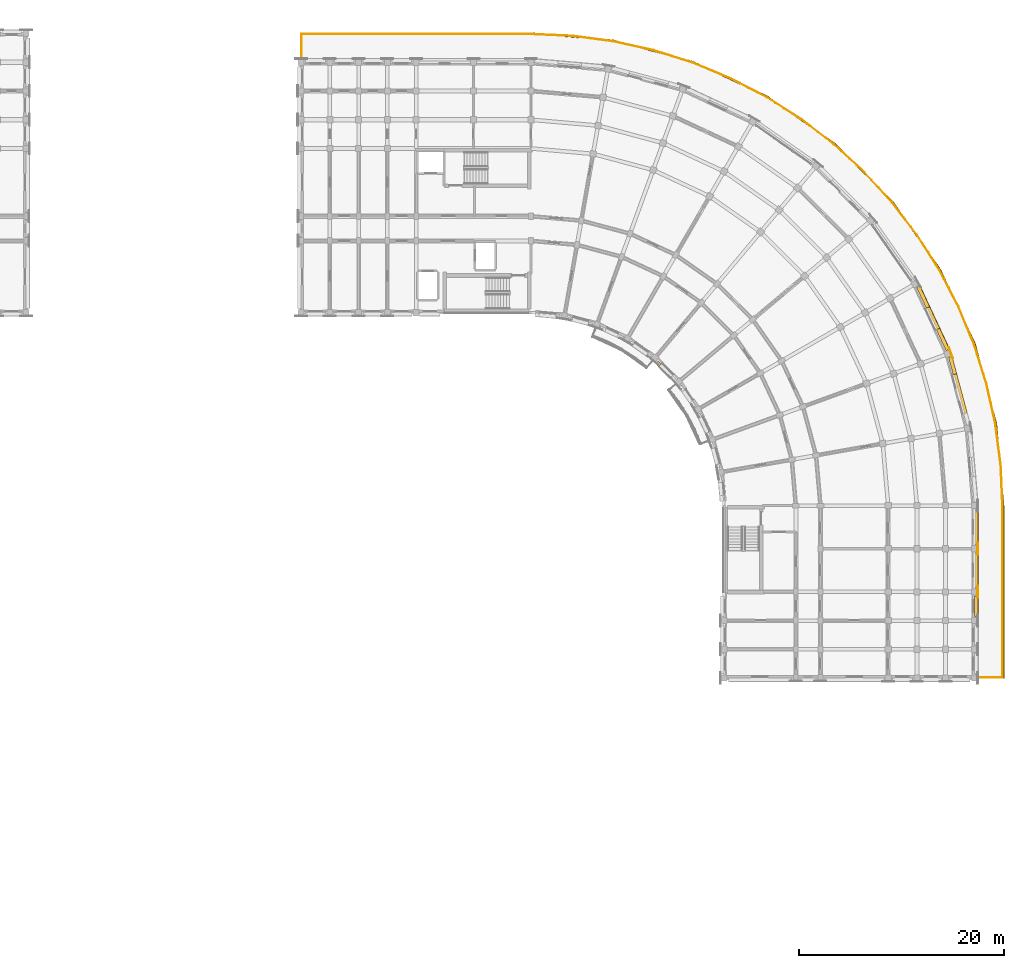
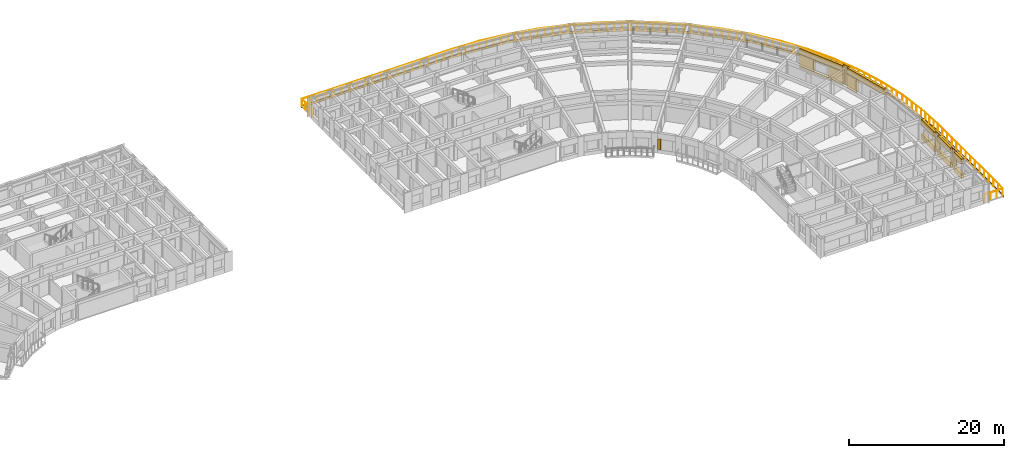
# One storey, part 52 of 53: 17 coverings, 1 railing.
"""IFC4 building model written with IfcOpenShell, lengths in metres."""

import ifcopenshell
import ifcopenshell.guid

model = None  # the IFC model being written
_history = None  # IfcOwnerHistory: only IFC2X3 demands one
_inside = {}  # id of a spatial element -> (the spatial element, [elements in it])
_under = {}  # id of a project, library or spatial element -> (it, [spatial elements below it])
_declared = {}  # id of a project -> (the project, [libraries it declares])
_typed = {}  # id of a type object -> (the type object, [elements of that type])
_made_of = {}  # id of a material, layer set ... -> (it, [elements and type objects made of it])


def new_model(schema):
    """Start an empty IFC model of exactly this schema.

    Asked for "IFC4X3", IfcOpenShell would pick the latest addendum, in which some entities
    have other attributes; the version numbers below select the first issue.
    IFC2X3 requires an IfcOwnerHistory on every rooted entity: one is made here for all.
    """
    global model, _history
    if schema == "IFC4X3":
        model = ifcopenshell.file(schema_version=(4, 3, 0, 0))
    else:
        model = ifcopenshell.file(schema=schema)
    _inside.clear()
    _under.clear()
    _declared.clear()
    _typed.clear()
    _made_of.clear()
    _history = None
    if model.schema == "IFC2X3":
        org = make("IfcOrganization", Name="unknown")
        user = make(
            "IfcPersonAndOrganization",
            ThePerson=make("IfcPerson", FamilyName="unknown"),
            TheOrganization=org,
        )
        app = make(
            "IfcApplication",
            ApplicationDeveloper=org,
            Version="unknown",
            ApplicationFullName="unknown",
            ApplicationIdentifier="unknown",
        )
        _history = make(
            "IfcOwnerHistory",
            OwningUser=user,
            OwningApplication=app,
            ChangeAction="ADDED",
            CreationDate=0,
        )
    return model


def make(cls, **values):
    """One entity of the class cls with the attributes given. An attribute that is None is left unset."""
    return model.create_entity(
        cls, **{name: value for name, value in values.items() if value is not None}
    )


def rooted(cls, **values):
    """An entity with a GlobalId (a new one), such as an element, a storey or a relation."""
    return make(cls, GlobalId=ifcopenshell.guid.new(), OwnerHistory=_history, **values)


def si_unit(unit_type, name, prefix=None):
    """IfcSIUnit, for example si_unit("LENGTHUNIT", "METRE", prefix="MILLI")."""
    return make("IfcSIUnit", UnitType=unit_type, Prefix=prefix, Name=name)


def assignment(units):
    """IfcUnitAssignment: the units of a project."""
    return None if units is None else make("IfcUnitAssignment", Units=units)


def point(xyz):
    """IfcCartesianPoint."""
    return None if xyz is None else make("IfcCartesianPoint", Coordinates=xyz)


def direction(xyz):
    """IfcDirection."""
    return None if xyz is None else make("IfcDirection", DirectionRatios=xyz)


def frame(location, z_axis=None, x_axis=None):
    """IfcAxis2Placement3D, a coordinate frame: its origin and axes. An axis left out is left unset."""
    return make(
        "IfcAxis2Placement3D",
        Location=point(location),
        Axis=direction(z_axis),
        RefDirection=direction(x_axis),
    )


def frame_2d(location, x_axis=None):
    """IfcAxis2Placement2D, a coordinate frame in the plane: its origin and x axis."""
    return make(
        "IfcAxis2Placement2D", Location=point(location), RefDirection=direction(x_axis)
    )


def origin():
    """The frame at (0, 0, 0) with its axes left unset."""
    return frame((0.0, 0.0, 0.0))


def origin_2d():
    """The frame at (0, 0) in the plane with its x axis left unset."""
    return frame_2d((0.0, 0.0))


def place(relative_to, where):
    """IfcLocalPlacement: puts the frame where relative to a parent placement (None: the world)."""
    return make(
        "IfcLocalPlacement", PlacementRelTo=relative_to, RelativePlacement=where
    )


def context(
    kind, dimensions, precision=None, world=None, true_north=None, identifier=None
):
    """IfcGeometricRepresentationContext, for example the 3D "Model" context."""
    return make(
        "IfcGeometricRepresentationContext",
        ContextIdentifier=identifier,
        ContextType=kind,
        CoordinateSpaceDimension=dimensions,
        Precision=precision,
        WorldCoordinateSystem=world,
        TrueNorth=true_north,
    )


def subcontext(parent, identifier, kind, view, scale=None):
    """IfcGeometricRepresentationSubContext, for example "Body" below "Model"."""
    return make(
        "IfcGeometricRepresentationSubContext",
        ContextIdentifier=identifier,
        ContextType=kind,
        ParentContext=parent,
        TargetScale=scale,
        TargetView=view,
    )


def project(units=None, contexts=None):
    """IfcProject with its units and contexts."""
    return rooted(
        "IfcProject",
        Name="project",
        RepresentationContexts=contexts,
        UnitsInContext=assignment(units),
    )


def spatial(cls, under=None, at=None, **own):
    """A site, building, storey or space (cls), placed at a placement, below another one or the project."""
    s = rooted(cls, ObjectPlacement=at, **own)
    if under is not None:
        _under.setdefault(under.id(), (under, []))[1].append(s)
    return s


def polyline(points):
    """IfcPolyline through the points."""
    return make("IfcPolyline", Points=[point(p) for p in points])


def profile(cls, at=None, kind="AREA", **sizes):
    """A parametric profile (cls). Its sizes go by their IFC names, for example OverallWidth=200.0."""
    return make(cls, ProfileType=kind, Position=at, **sizes)


def circle(**sizes):
    """IfcCircleProfileDef."""
    return profile("IfcCircleProfileDef", **sizes)


def outline(outer, holes=None, kind="AREA"):
    """IfcArbitraryClosedProfileDef: a profile drawn as a closed curve; with holes, ...WithVoids."""
    if holes is None:
        return make("IfcArbitraryClosedProfileDef", ProfileType=kind, OuterCurve=outer)
    return make(
        "IfcArbitraryProfileDefWithVoids",
        ProfileType=kind,
        OuterCurve=outer,
        InnerCurves=holes,
    )


def extrude(swept, where, along, depth):
    """IfcExtrudedAreaSolid: the profile swept, set in the frame where, extruded along a direction by depth."""
    return make(
        "IfcExtrudedAreaSolid",
        SweptArea=swept,
        Position=where,
        ExtrudedDirection=direction(along),
        Depth=depth,
    )


def shape(context_of_items, identifier, shape_type, items):
    """IfcShapeRepresentation: the items that make up one representation, for example the "Body"."""
    return make(
        "IfcShapeRepresentation",
        ContextOfItems=context_of_items,
        RepresentationIdentifier=identifier,
        RepresentationType=shape_type,
        Items=items,
    )


def material(Name=None, Category=None):
    """IfcMaterial."""
    return make("IfcMaterial", Name=Name, Category=Category)


def layer(
    of_material, thickness, ventilated=None, Name=None, Category=None, Priority=None
):
    """IfcMaterialLayer: one layer of a wall or slab, of a material (None: an air gap)."""
    return make(
        "IfcMaterialLayer",
        Material=of_material,
        LayerThickness=thickness,
        IsVentilated=ventilated,
        Name=Name,
        Category=Category,
        Priority=Priority,
    )


def layer_set(layers, Name=None):
    """IfcMaterialLayerSet."""
    return make("IfcMaterialLayerSet", MaterialLayers=layers, LayerSetName=Name)


def made_of(thing, what):
    """Note that an element or type object is made of a material, layer set ...; save() writes the relation."""
    if what is not None:
        _made_of.setdefault(what.id(), (what, []))[1].append(thing)
    return thing


def type_object(cls, material=None, **own):
    """A type object (cls), such as IfcWallType, which elements share."""
    return made_of(rooted(cls, **own), material)


def element(
    cls,
    number,
    at=None,
    inside=None,
    cuts=None,
    type_object=None,
    material=None,
    context=None,
    identifier="Body",
    shape_type=None,
    held_by="IfcProductDefinitionShape",
    body=None,
    shapes=None,
    **own,
):
    """One element of the class cls, such as IfcWall. Its Tag is "e" and its number.

    at: its placement. inside: the storey or other place that contains it. cuts: it is an
    opening in that element (IfcRelVoidsElement). A single representation is given by context,
    identifier, shape_type and body (its items); several are given by shapes. held_by: the class
    of the entity that holds the representations. save() writes the other relations.
    """
    e = rooted(cls, Tag="e%d" % number, ObjectPlacement=at, **own)
    if body is not None:
        shapes = [shape(context, identifier, shape_type, body)]
    if shapes is not None:
        e.Representation = make(held_by, Representations=shapes)
    if inside is not None:
        _inside.setdefault(inside.id(), (inside, []))[1].append(e)
    if cuts is not None:
        rooted(
            "IfcRelVoidsElement", RelatingBuildingElement=cuts, RelatedOpeningElement=e
        )
    if type_object is not None:
        _typed.setdefault(type_object.id(), (type_object, []))[1].append(e)
    return made_of(e, material)


def aggregate(whole, parts):
    """IfcRelAggregates: a whole, such as a stair, and the parts it consists of."""
    return rooted("IfcRelAggregates", RelatingObject=whole, RelatedObjects=parts)


def save(model, path):
    """Write the relations noted so far, then the file.

    IfcRelAggregates (storeys below a building ...), IfcRelContainedInSpatialStructure (elements
    in a storey), IfcRelDefinesByType, IfcRelAssociatesMaterial and IfcRelDeclares: one each for
    every whole, place, type object, material and project.
    """
    for whole, parts in _under.values():
        aggregate(whole, parts)
    for where, things in _inside.values():
        rooted(
            "IfcRelContainedInSpatialStructure",
            RelatedElements=things,
            RelatingStructure=where,
        )
    for kind, things in _typed.values():
        rooted("IfcRelDefinesByType", RelatedObjects=things, RelatingType=kind)
    for what, things in _made_of.values():
        rooted("IfcRelAssociatesMaterial", RelatedObjects=things, RelatingMaterial=what)
    for by, libraries in _declared.values():
        rooted("IfcRelDeclares", RelatingContext=by, RelatedDefinitions=libraries)
    model.write(path)


model = new_model("IFC4")

# Units and contexts
model_context = context("Model", 3, precision=1e-05, world=origin(), true_north=direction((0.0, 1.0)))
body_context = subcontext(model_context, "Body", "Model", "MODEL_VIEW")
ifc_project = project(units=[si_unit("LENGTHUNIT", "METRE"), si_unit("AREAUNIT", "SQUARE_METRE"), si_unit("VOLUMEUNIT", "CUBIC_METRE"), si_unit("PLANEANGLEUNIT", "RADIAN"), si_unit("MASSUNIT", "GRAM", prefix="KILO")], contexts=[model_context])

# Site, building, storey
site_placement = place(None, origin())
site = spatial("IfcSite", under=ifc_project, at=site_placement, CompositionType="ELEMENT")
building_placement = place(site_placement, origin())
building = spatial("IfcBuilding", under=site, at=building_placement, Name="Kiranvali Square Residences", CompositionType="ELEMENT")
storey_placement = place(building_placement, frame((0.0, 0.0, 30.75)))
storey = spatial("IfcBuildingStorey", under=building, at=storey_placement, Name="L09", CompositionType="ELEMENT", Elevation=30.75)

# Coverings
ifc_material_1 = material(Name="Carved Porbandar limestone classical entablature and cornice", Category="masonry")
ifc_layer_1 = layer(ifc_material_1, 0.449951171875)
ifc_layer_set_1 = layer_set([ifc_layer_1], Name="Carved Porbandar limestone classical entablature and cornice")
covering_type_1 = type_object("IfcCoveringType", Name="COV-CLAD-CORN", PredefinedType="CLADDING", material=ifc_layer_set_1)
covering_1_placement = place(storey_placement, frame((0.0, 0.0, -0.280029296875)))
element("IfcCovering", 1, at=covering_1_placement, inside=storey, type_object=covering_type_1, Name="Block B L09 stepped curved terrace stone cornice band", PredefinedType="CLADDING", context=body_context, shape_type="SweptSolid", body=[
    extrude(outline(polyline([(97.39990234375, 133.802001953125), (119.800048828125, 133.802001953125), (127.7880859375, 133.10302734375), (135.53369140625, 131.02783203125), (142.801025390625, 127.638916015625), (149.36962890625, 123.03955078125), (155.03955078125, 117.36962890625), (159.638916015625, 110.801025390625), (163.02783203125, 103.53369140625), (165.10302734375, 95.7880859375), (165.802001953125, 87.800048828125), (165.802001953125, 71.0), (165.885009765625, 71.0), (165.885009765625, 87.800048828125), (165.184814453125, 95.802490234375), (163.105712890625, 103.56201171875), (159.710693359375, 110.842529296875), (155.103271484375, 117.4228515625), (149.4228515625, 123.103271484375), (142.842529296875, 127.710693359375), (135.56201171875, 131.105712890625), (127.802490234375, 133.184814453125), (119.800048828125, 133.885009765625), (97.39990234375, 133.885009765625), (97.39990234375, 133.802001953125)])), origin(), (0.0, 0.0, 1.0), 0.360107421875),
])
ifc_material_2 = material(Name="Honed Porbandar limestone ashlar facade cladding", Category="masonry")
ifc_layer_2 = layer(ifc_material_2, 0.3798828125)
ifc_layer_set_2 = layer_set([ifc_layer_2], Name="Honed Porbandar limestone ashlar facade cladding")
covering_type_2 = type_object("IfcCoveringType", Name="COV-CLAD-JAMB", PredefinedType="CLADDING", material=ifc_layer_set_2)
covering_2_placement = place(storey_placement, frame((0.0, 0.0, 0.31201171875)))
element("IfcCovering", 2, at=covering_2_placement, inside=storey, type_object=covering_type_2, Name="L09 deep limestone window jamb reveal B-L09-CRV-06.L", PredefinedType="CLADDING", context=body_context, shape_type="SweptSolid", body=[
    extrude(outline(polyline([(157.360595703125, 109.0830078125), (158.31787109375, 107.030029296875), (158.643798828125, 107.18212890625), (157.6865234375, 109.23486328125), (157.360595703125, 109.0830078125)])), origin(), (0.0, 0.0, 1.0), 1.89990234375),
])
covering_3_placement = place(storey_placement, frame((0.0, 0.0, 0.31201171875)))
element("IfcCovering", 3, at=covering_3_placement, inside=storey, type_object=covering_type_2, Name="L09 deep limestone window jamb reveal B-L09-CRV-06.R", PredefinedType="CLADDING", context=body_context, shape_type="SweptSolid", body=[
    extrude(outline(polyline([(159.2900390625, 104.945556640625), (160.247314453125, 102.892578125), (160.572998046875, 103.044677734375), (159.61572265625, 105.097412109375), (159.2900390625, 104.945556640625)])), origin(), (0.0, 0.0, 1.0), 1.89990234375),
])
covering_4_placement = place(storey_placement, origin())
element("IfcCovering", 4, at=covering_4_placement, inside=storey, type_object=covering_type_2, Name="L09 deep limestone window jamb reveal B-L09-CRV-07.L", PredefinedType="CLADDING", context=body_context, shape_type="SweptSolid", body=[
    extrude(outline(polyline([(160.48583984375, 102.2373046875), (160.936279296875, 100.55615234375), (161.283447265625, 100.649169921875), (160.8330078125, 102.330322265625), (160.48583984375, 102.2373046875)])), origin(), (0.0, 0.0, 1.0), 2.179931640625),
])
covering_5_placement = place(storey_placement, frame((0.0, 0.0, 0.572021484375)))
element("IfcCovering", 5, at=covering_5_placement, inside=storey, type_object=covering_type_2, Name="L09 deep limestone window jamb reveal B-L09-GDN-04.L", PredefinedType="CLADDING", context=body_context, shape_type="SweptSolid", body=[
    extrude(outline(polyline([(131.955078125, 101.650146484375), (132.23681640625, 101.368408203125), (132.47705078125, 101.6083984375), (132.195068359375, 101.89013671875), (131.955078125, 101.650146484375)])), origin(), (0.0, 0.0, 1.0), 1.64990234375),
])
ifc_layer_3 = layer(ifc_material_2, 0.06494140625)
ifc_layer_set_3 = layer_set([ifc_layer_3], Name="Honed Porbandar limestone ashlar facade cladding")
covering_type_3 = type_object("IfcCoveringType", Name="COV-CLAD-PIER", PredefinedType="CLADDING", material=ifc_layer_set_3)
covering_6_placement = place(storey_placement, frame((0.0, 0.0, 0.0048828125)))
element("IfcCovering", 6, at=covering_6_placement, inside=storey, type_object=covering_type_3, Name="L09 Classical limestone corner pilaster CLAD-PR-B-L09-A07", PredefinedType="CLADDING", context=body_context, shape_type="SweptSolid", body=[
    extrude(outline(polyline([(160.93896484375, 102.156005859375), (160.542236328125, 103.24609375), (160.478759765625, 103.22314453125), (160.87548828125, 102.133056640625), (160.93896484375, 102.156005859375)])), origin(), (0.0, 0.0, 1.0), 3.14013671875),
])
ifc_layer_4 = layer(ifc_material_2, 0.054931640625)
ifc_layer_set_4 = layer_set([ifc_layer_4], Name="Honed Porbandar limestone ashlar facade cladding")
covering_type_4 = type_object("IfcCoveringType", Name="COV-CLAD-PIER-UP", PredefinedType="CLADDING", material=ifc_layer_set_4)
covering_7_placement = place(storey_placement, frame((0.0, 0.0, 0.0048828125)))
element("IfcCovering", 7, at=covering_7_placement, inside=storey, type_object=covering_type_4, Name="L09 Classical limestone pilaster casing CLAD-PR-B-L09-V42", PredefinedType="CLADDING", context=body_context, shape_type="SweptSolid", body=[
    extrude(outline(polyline([(163.300537109375, 84.179931640625), (163.300537109375, 83.02001953125), (163.367919921875, 83.02001953125), (163.367919921875, 84.179931640625), (163.300537109375, 84.179931640625)])), origin(), (0.0, 0.0, 1.0), 3.14013671875),
])
covering_8_placement = place(storey_placement, frame((0.0, 0.0, 0.0048828125)))
element("IfcCovering", 8, at=covering_8_placement, inside=storey, type_object=covering_type_4, Name="L09 Classical limestone pilaster casing CLAD-PR-B-L09-V84", PredefinedType="CLADDING", context=body_context, shape_type="SweptSolid", body=[
    extrude(outline(polyline([(163.300537109375, 79.97998046875), (163.300537109375, 78.820068359375), (163.367919921875, 78.820068359375), (163.367919921875, 79.97998046875), (163.300537109375, 79.97998046875)])), origin(), (0.0, 0.0, 1.0), 3.14013671875),
])
ifc_layer_5 = layer(ifc_material_2, 0.360107421875)
ifc_layer_set_5 = layer_set([ifc_layer_5], Name="Honed Porbandar limestone ashlar facade cladding")
covering_type_5 = type_object("IfcCoveringType", Name="COV-CLAD-WALL", PredefinedType="CLADDING", material=ifc_layer_set_5)
covering_9_placement = place(storey_placement, frame((0.0, 0.0, 2.2119140625)))
element("IfcCovering", 9, at=covering_9_placement, inside=storey, type_object=covering_type_5, Name="L09 light limestone spandrel lintel B-L09-CRV-06", PredefinedType="CLADDING", context=body_context, shape_type="SweptSolid", body=[
    extrude(outline(polyline([(157.360595703125, 109.0830078125), (160.247314453125, 102.892578125), (160.572998046875, 103.044677734375), (157.6865234375, 109.23486328125), (157.360595703125, 109.0830078125)])), origin(), (0.0, 0.0, 1.0), 0.93310546875),
])
covering_10_placement = place(storey_placement, frame((0.0, 0.0, 0.0048828125)))
element("IfcCovering", 10, at=covering_10_placement, inside=storey, type_object=covering_type_5, Name="L09 limestone window sill apron B-L09-CRV-06", PredefinedType="CLADDING", context=body_context, shape_type="SweptSolid", body=[
    extrude(outline(polyline([(157.360595703125, 109.0830078125), (160.247314453125, 102.892578125), (160.600341796875, 103.057373046875), (157.713623046875, 109.24755859375), (157.360595703125, 109.0830078125)])), origin(), (0.0, 0.0, 1.0), 0.30712890625),
])
covering_11_placement = place(storey_placement, frame((0.0, 0.0, 2.179931640625)))
element("IfcCovering", 11, at=covering_11_placement, inside=storey, type_object=covering_type_5, Name="L09 light limestone spandrel lintel B-L09-CRV-07", PredefinedType="CLADDING", context=body_context, shape_type="SweptSolid", body=[
    extrude(outline(polyline([(160.48583984375, 102.2373046875), (162.253662109375, 95.639892578125), (162.600830078125, 95.73291015625), (160.8330078125, 102.330322265625), (160.48583984375, 102.2373046875)])), origin(), (0.0, 0.0, 1.0), 0.965087890625),
])
covering_12_placement = place(storey_placement, frame((0.0, 0.0, 2.280029296875)))
element("IfcCovering", 12, at=covering_12_placement, inside=storey, type_object=covering_type_5, Name="L09 light limestone spandrel lintel B-L09-A2O-0", PredefinedType="CLADDING", context=body_context, shape_type="SweptSolid", body=[
    extrude(outline(polyline([(163.00048828125, 87.3798828125), (163.00048828125, 84.02001953125), (163.35009765625, 84.02001953125), (163.35009765625, 87.3798828125), (163.00048828125, 87.3798828125)])), origin(), (0.0, 0.0, 1.0), 0.864990234375),
])
covering_13_placement = place(storey_placement, frame((0.0, 0.0, 0.0048828125)))
element("IfcCovering", 13, at=covering_13_placement, inside=storey, type_object=covering_type_5, Name="L09 limestone window sill apron B-L09-A2O-0", PredefinedType="CLADDING", context=body_context, shape_type="SweptSolid", body=[
    extrude(outline(polyline([(163.00048828125, 87.3798828125), (163.00048828125, 84.02001953125), (163.3798828125, 84.02001953125), (163.3798828125, 87.3798828125), (163.00048828125, 87.3798828125)])), origin(), (0.0, 0.0, 1.0), 0.875),
])
covering_14_placement = place(storey_placement, frame((0.0, 0.0, 2.280029296875)))
element("IfcCovering", 14, at=covering_14_placement, inside=storey, type_object=covering_type_5, Name="L09 light limestone spandrel lintel B-L09-A2O-1", PredefinedType="CLADDING", context=body_context, shape_type="SweptSolid", body=[
    extrude(outline(polyline([(163.00048828125, 83.179931640625), (163.00048828125, 79.820068359375), (163.35009765625, 79.820068359375), (163.35009765625, 83.179931640625), (163.00048828125, 83.179931640625)])), origin(), (0.0, 0.0, 1.0), 0.864990234375),
])
covering_15_placement = place(storey_placement, frame((0.0, 0.0, 0.0048828125)))
element("IfcCovering", 15, at=covering_15_placement, inside=storey, type_object=covering_type_5, Name="L09 limestone window sill apron B-L09-A2O-1", PredefinedType="CLADDING", context=body_context, shape_type="SweptSolid", body=[
    extrude(outline(polyline([(163.00048828125, 83.179931640625), (163.00048828125, 79.820068359375), (163.3798828125, 79.820068359375), (163.3798828125, 83.179931640625), (163.00048828125, 83.179931640625)])), origin(), (0.0, 0.0, 1.0), 0.875),
])
covering_16_placement = place(storey_placement, frame((0.0, 0.0, 2.280029296875)))
element("IfcCovering", 16, at=covering_16_placement, inside=storey, type_object=covering_type_5, Name="L09 light limestone spandrel lintel B-L09-A2O-2", PredefinedType="CLADDING", context=body_context, shape_type="SweptSolid", body=[
    extrude(outline(polyline([(163.00048828125, 78.97998046875), (163.00048828125, 77.02001953125), (163.35009765625, 77.02001953125), (163.35009765625, 78.97998046875), (163.00048828125, 78.97998046875)])), origin(), (0.0, 0.0, 1.0), 0.864990234375),
])
covering_17_placement = place(storey_placement, frame((0.0, 0.0, 0.0048828125)))
element("IfcCovering", 17, at=covering_17_placement, inside=storey, type_object=covering_type_5, Name="L09 limestone window sill apron B-L09-A2O-2", PredefinedType="CLADDING", context=body_context, shape_type="SweptSolid", body=[
    extrude(outline(polyline([(163.00048828125, 78.97998046875), (163.00048828125, 77.02001953125), (163.3798828125, 77.02001953125), (163.3798828125, 78.97998046875), (163.00048828125, 78.97998046875)])), origin(), (0.0, 0.0, 1.0), 0.775146484375),
])

# Railing
ifc_material_3 = material(Name="Powder-coated architectural bronze balustrade", Category="steel")
railing_type = type_object("IfcRailingType", Name="RL-TER-GOLD-1200", PredefinedType="BALUSTRADE", material=ifc_material_3)
railing_placement = place(storey_placement, frame((97.449951171875, 131.0400390625, 0.0)))
element("IfcRailing", 18, at=railing_placement, inside=storey, type_object=railing_type, Name="Block B L09 stepped curved corner terrace gold balustrade", PredefinedType="BALUSTRADE", context=body_context, shape_type="SweptSolid", body=[
    extrude(circle(Radius=0.02392578125, at=origin_2d()), frame((0.0, 0.0, 1.17578125), z_axis=(0.0, 1.0, 0.0), x_axis=(-1.0, 0.0, 0.0)), (0.0, 0.0, 1.0), 2.699951171875),
    extrude(circle(Radius=0.02392578125, at=origin_2d()), frame((0.0, 2.699951171875, 1.17578125), z_axis=(1.0, 0.0, 0.0), x_axis=(0.0, 1.0, 0.0)), (0.0, 0.0, 1.0), 22.35009765625),
    extrude(circle(Radius=0.02392578125, at=origin_2d()), frame((22.35009765625, 2.699951171875, 1.17578125), z_axis=(0.999048326342, -0.043616987906, 0.0), x_axis=(0.043616987906, 0.999048326342, 0.0)), (0.0, 0.0, 1.0), 4.0078125),
    extrude(circle(Radius=0.02392578125, at=origin_2d()), frame((26.35400390625, 2.525146484375, 1.17578125), z_axis=(0.991442057801, -0.130547485706, 0.0), x_axis=(0.130547485706, 0.991442057801, 0.0)), (0.0, 0.0, 1.0), 4.007568359375),
    extrude(circle(Radius=0.02392578125, at=origin_2d()), frame((30.327392578125, 2.001953125, 1.17578125), z_axis=(0.976297298919, -0.216433786926, 0.0), x_axis=(0.216433786926, 0.976297298919, 0.0)), (0.0, 0.0, 1.0), 4.0078125),
    extrude(circle(Radius=0.02392578125, at=origin_2d()), frame((34.240234375, 1.134521484375, 1.17578125), z_axis=(0.953722503351, -0.300688188333, 0.0), x_axis=(0.300688188333, 0.953722503351, 0.0)), (0.0, 0.0, 1.0), 4.0078125),
    extrude(circle(Radius=0.02392578125, at=origin_2d()), frame((38.0625, -0.070556640625, 1.17578125), z_axis=(0.92387873318, -0.382685362115, 0.0), x_axis=(0.382685362115, 0.92387873318, 0.0)), (0.0, 0.0, 1.0), 4.0078125),
    extrude(circle(Radius=0.02392578125, at=origin_2d()), frame((41.76513671875, -1.604248046875, 1.17578125), z_axis=(0.887010254912, -0.461749724073, 0.0), x_axis=(0.461749724073, 0.887010254912, 0.0)), (0.0, 0.0, 1.0), 4.0078125),
    extrude(circle(Radius=0.02392578125, at=origin_2d()), frame((45.320068359375, -3.454833984375, 1.17578125), z_axis=(0.843398009102, -0.537289305907, 0.0), x_axis=(0.537289305907, 0.843398009102, 0.0)), (0.0, 0.0, 1.0), 4.0078125),
    extrude(circle(Radius=0.02392578125, at=origin_2d()), frame((48.7001953125, -5.608154296875, 1.17578125), z_axis=(0.793350379413, -0.608765287681, 0.0), x_axis=(0.608765287681, 0.793350379413, 0.0)), (0.0, 0.0, 1.0), 4.007568359375),
    extrude(circle(Radius=0.02392578125, at=origin_2d()), frame((51.879638671875, -8.0478515625, 1.17578125), z_axis=(0.737257802459, -0.675611525, 0.0), x_axis=(0.675611525, 0.737257802459, 0.0)), (0.0, 0.0, 1.0), 4.0078125),
    extrude(circle(Radius=0.02392578125, at=origin_2d()), frame((54.83447265625, -10.755615234375, 1.17578125), z_axis=(0.675611525, -0.737257802459, 0.0), x_axis=(0.737257802459, 0.675611525, 0.0)), (0.0, 0.0, 1.0), 4.0078125),
    extrude(circle(Radius=0.02392578125, at=origin_2d()), frame((57.542236328125, -13.71044921875, 1.17578125), z_axis=(0.608765287681, -0.793350379413, 0.0), x_axis=(0.793350379413, 0.608765287681, 0.0)), (0.0, 0.0, 1.0), 4.007568359375),
    extrude(circle(Radius=0.02392578125, at=origin_2d()), frame((59.98193359375, -16.889892578125, 1.17578125), z_axis=(0.537289305907, -0.843398009102, 0.0), x_axis=(0.843398009102, 0.537289305907, 0.0)), (0.0, 0.0, 1.0), 4.0078125),
    extrude(circle(Radius=0.02392578125, at=origin_2d()), frame((62.13525390625, -20.27001953125, 1.17578125), z_axis=(0.461749724073, -0.887010254912, 0.0), x_axis=(0.887010254912, 0.461749724073, 0.0)), (0.0, 0.0, 1.0), 4.0078125),
    extrude(circle(Radius=0.02392578125, at=origin_2d()), frame((63.98583984375, -23.824951171875, 1.17578125), z_axis=(0.382685362115, -0.92387873318, 0.0), x_axis=(0.92387873318, 0.382685362115, 0.0)), (0.0, 0.0, 1.0), 4.0078125),
    extrude(circle(Radius=0.02392578125, at=origin_2d()), frame((65.51953125, -27.527587890625, 1.17578125), z_axis=(0.300688188333, -0.953722503351, 0.0), x_axis=(0.953722503351, 0.300688188333, 0.0)), (0.0, 0.0, 1.0), 4.0078125),
    extrude(circle(Radius=0.02392578125, at=origin_2d()), frame((66.724609375, -31.349853515625, 1.17578125), z_axis=(0.216433786926, -0.976297298919, 0.0), x_axis=(0.976297298919, 0.216433786926, 0.0)), (0.0, 0.0, 1.0), 4.0078125),
    extrude(circle(Radius=0.02392578125, at=origin_2d()), frame((67.592041015625, -35.2626953125, 1.17578125), z_axis=(0.130547485706, -0.991442057801, 0.0), x_axis=(0.991442057801, 0.130547485706, 0.0)), (0.0, 0.0, 1.0), 4.007568359375),
    extrude(circle(Radius=0.02392578125, at=origin_2d()), frame((68.115234375, -39.236083984375, 1.17578125), z_axis=(0.043616987906, -0.999048326342, 0.0), x_axis=(0.999048326342, 0.043616987906, 0.0)), (0.0, 0.0, 1.0), 4.0078125),
    extrude(circle(Radius=0.02392578125, at=origin_2d()), frame((68.2900390625, -43.239990234375, 1.17578125), z_axis=(0.0, -1.0, 0.0), x_axis=(1.0, 0.0, 0.0)), (0.0, 0.0, 1.0), 16.75),
    extrude(circle(Radius=0.02392578125, at=origin_2d()), frame((68.2900390625, -59.989990234375, 1.17578125), z_axis=(-1.0, 0.0, 0.0), x_axis=(0.0, -1.0, 0.0)), (0.0, 0.0, 1.0), 2.699951171875),
    extrude(circle(Radius=0.02099609375, at=origin_2d()), origin(), (0.0, 0.0, 1.0), 1.15185546875),
    extrude(circle(Radius=0.02099609375, at=origin_2d()), frame((0.0, 0.89990234375, 0.0)), (0.0, 0.0, 1.0), 1.15185546875),
    extrude(circle(Radius=0.02099609375, at=origin_2d()), frame((0.0, 1.800048828125, 0.0)), (0.0, 0.0, 1.0), 1.15185546875),
    extrude(circle(Radius=0.02099609375, at=origin_2d()), frame((0.0, 2.699951171875, 0.0)), (0.0, 0.0, 1.0), 1.15185546875),
    extrude(circle(Radius=0.02099609375, at=origin_2d()), frame((1.17626953125, 2.699951171875, 0.0)), (0.0, 0.0, 1.0), 1.15185546875),
    extrude(circle(Radius=0.02099609375, at=origin_2d()), frame((2.3525390625, 2.699951171875, 0.0)), (0.0, 0.0, 1.0), 1.15185546875),
    extrude(circle(Radius=0.02099609375, at=origin_2d()), frame((3.529052734375, 2.699951171875, 0.0)), (0.0, 0.0, 1.0), 1.15185546875),
    extrude(circle(Radius=0.02099609375, at=origin_2d()), frame((4.705322265625, 2.699951171875, 0.0)), (0.0, 0.0, 1.0), 1.15185546875),
    extrude(circle(Radius=0.02099609375, at=origin_2d()), frame((5.881591796875, 2.699951171875, 0.0)), (0.0, 0.0, 1.0), 1.15185546875),
    extrude(circle(Radius=0.02099609375, at=origin_2d()), frame((7.057861328125, 2.699951171875, 0.0)), (0.0, 0.0, 1.0), 1.15185546875),
    extrude(circle(Radius=0.02099609375, at=origin_2d()), frame((8.234130859375, 2.699951171875, 0.0)), (0.0, 0.0, 1.0), 1.15185546875),
    extrude(circle(Radius=0.02099609375, at=origin_2d()), frame((9.41064453125, 2.699951171875, 0.0)), (0.0, 0.0, 1.0), 1.15185546875),
    extrude(circle(Radius=0.02099609375, at=origin_2d()), frame((10.5869140625, 2.699951171875, 0.0)), (0.0, 0.0, 1.0), 1.15185546875),
    extrude(circle(Radius=0.02099609375, at=origin_2d()), frame((11.76318359375, 2.699951171875, 0.0)), (0.0, 0.0, 1.0), 1.15185546875),
    extrude(circle(Radius=0.02099609375, at=origin_2d()), frame((12.939453125, 2.699951171875, 0.0)), (0.0, 0.0, 1.0), 1.15185546875),
    extrude(circle(Radius=0.02099609375, at=origin_2d()), frame((14.115966796875, 2.699951171875, 0.0)), (0.0, 0.0, 1.0), 1.15185546875),
    extrude(circle(Radius=0.02099609375, at=origin_2d()), frame((15.292236328125, 2.699951171875, 0.0)), (0.0, 0.0, 1.0), 1.15185546875),
    extrude(circle(Radius=0.02099609375, at=origin_2d()), frame((16.468505859375, 2.699951171875, 0.0)), (0.0, 0.0, 1.0), 1.15185546875),
    extrude(circle(Radius=0.02099609375, at=origin_2d()), frame((17.644775390625, 2.699951171875, 0.0)), (0.0, 0.0, 1.0), 1.15185546875),
    extrude(circle(Radius=0.02099609375, at=origin_2d()), frame((18.821044921875, 2.699951171875, 0.0)), (0.0, 0.0, 1.0), 1.15185546875),
    extrude(circle(Radius=0.02099609375, at=origin_2d()), frame((19.99755859375, 2.699951171875, 0.0)), (0.0, 0.0, 1.0), 1.15185546875),
    extrude(circle(Radius=0.02099609375, at=origin_2d()), frame((21.173828125, 2.699951171875, 0.0)), (0.0, 0.0, 1.0), 1.15185546875),
    extrude(circle(Radius=0.02099609375, at=origin_2d()), frame((22.35009765625, 2.699951171875, 0.0)), (0.0, 0.0, 1.0), 1.15185546875),
    extrude(circle(Radius=0.02099609375, at=origin_2d()), frame((23.35107421875, 2.65625, 0.0)), (0.0, 0.0, 1.0), 1.15185546875),
    extrude(circle(Radius=0.02099609375, at=origin_2d()), frame((24.35205078125, 2.612548828125, 0.0)), (0.0, 0.0, 1.0), 1.15185546875),
    extrude(circle(Radius=0.02099609375, at=origin_2d()), frame((25.35302734375, 2.56884765625, 0.0)), (0.0, 0.0, 1.0), 1.15185546875),
    extrude(circle(Radius=0.02099609375, at=origin_2d()), frame((26.35400390625, 2.525146484375, 0.0)), (0.0, 0.0, 1.0), 1.15185546875),
    extrude(circle(Radius=0.02099609375, at=origin_2d()), frame((27.347412109375, 2.394287109375, 0.0)), (0.0, 0.0, 1.0), 1.15185546875),
    extrude(circle(Radius=0.02099609375, at=origin_2d()), frame((28.3408203125, 2.263671875, 0.0)), (0.0, 0.0, 1.0), 1.15185546875),
    extrude(circle(Radius=0.02099609375, at=origin_2d()), frame((29.333984375, 2.1328125, 0.0)), (0.0, 0.0, 1.0), 1.15185546875),
    extrude(circle(Radius=0.02099609375, at=origin_2d()), frame((30.327392578125, 2.001953125, 0.0)), (0.0, 0.0, 1.0), 1.15185546875),
    extrude(circle(Radius=0.02099609375, at=origin_2d()), frame((31.3056640625, 1.78515625, 0.0)), (0.0, 0.0, 1.0), 1.15185546875),
    extrude(circle(Radius=0.02099609375, at=origin_2d()), frame((32.28369140625, 1.568359375, 0.0)), (0.0, 0.0, 1.0), 1.15185546875),
    extrude(circle(Radius=0.02099609375, at=origin_2d()), frame((33.261962890625, 1.351318359375, 0.0)), (0.0, 0.0, 1.0), 1.15185546875),
    extrude(circle(Radius=0.02099609375, at=origin_2d()), frame((34.240234375, 1.134521484375, 0.0)), (0.0, 0.0, 1.0), 1.15185546875),
    extrude(circle(Radius=0.02099609375, at=origin_2d()), frame((35.19580078125, 0.833251953125, 0.0)), (0.0, 0.0, 1.0), 1.15185546875),
    extrude(circle(Radius=0.02099609375, at=origin_2d()), frame((36.1513671875, 0.531982421875, 0.0)), (0.0, 0.0, 1.0), 1.15185546875),
    extrude(circle(Radius=0.02099609375, at=origin_2d()), frame((37.10693359375, 0.230712890625, 0.0)), (0.0, 0.0, 1.0), 1.15185546875),
    extrude(circle(Radius=0.02099609375, at=origin_2d()), frame((38.0625, -0.070556640625, 0.0)), (0.0, 0.0, 1.0), 1.15185546875),
    extrude(circle(Radius=0.02099609375, at=origin_2d()), frame((38.98828125, -0.4541015625, 0.0)), (0.0, 0.0, 1.0), 1.15185546875),
    extrude(circle(Radius=0.02099609375, at=origin_2d()), frame((39.913818359375, -0.83740234375, 0.0)), (0.0, 0.0, 1.0), 1.15185546875),
    extrude(circle(Radius=0.02099609375, at=origin_2d()), frame((40.83935546875, -1.220703125, 0.0)), (0.0, 0.0, 1.0), 1.15185546875),
    extrude(circle(Radius=0.02099609375, at=origin_2d()), frame((41.76513671875, -1.604248046875, 0.0)), (0.0, 0.0, 1.0), 1.15185546875),
    extrude(circle(Radius=0.02099609375, at=origin_2d()), frame((42.65380859375, -2.06689453125, 0.0)), (0.0, 0.0, 1.0), 1.15185546875),
    extrude(circle(Radius=0.02099609375, at=origin_2d()), frame((43.54248046875, -2.529541015625, 0.0)), (0.0, 0.0, 1.0), 1.15185546875),
    extrude(circle(Radius=0.02099609375, at=origin_2d()), frame((44.431396484375, -2.9921875, 0.0)), (0.0, 0.0, 1.0), 1.15185546875),
    extrude(circle(Radius=0.02099609375, at=origin_2d()), frame((45.320068359375, -3.454833984375, 0.0)), (0.0, 0.0, 1.0), 1.15185546875),
    extrude(circle(Radius=0.02099609375, at=origin_2d()), frame((46.1650390625, -3.9931640625, 0.0)), (0.0, 0.0, 1.0), 1.15185546875),
    extrude(circle(Radius=0.02099609375, at=origin_2d()), frame((47.01025390625, -4.531494140625, 0.0)), (0.0, 0.0, 1.0), 1.15185546875),
    extrude(circle(Radius=0.02099609375, at=origin_2d()), frame((47.855224609375, -5.06982421875, 0.0)), (0.0, 0.0, 1.0), 1.15185546875),
    extrude(circle(Radius=0.02099609375, at=origin_2d()), frame((48.7001953125, -5.608154296875, 0.0)), (0.0, 0.0, 1.0), 1.15185546875),
    extrude(circle(Radius=0.02099609375, at=origin_2d()), frame((49.4951171875, -6.218017578125, 0.0)), (0.0, 0.0, 1.0), 1.15185546875),
    extrude(circle(Radius=0.02099609375, at=origin_2d()), frame((50.2900390625, -6.828125, 0.0)), (0.0, 0.0, 1.0), 1.15185546875),
    extrude(circle(Radius=0.02099609375, at=origin_2d()), frame((51.084716796875, -7.43798828125, 0.0)), (0.0, 0.0, 1.0), 1.15185546875),
    extrude(circle(Radius=0.02099609375, at=origin_2d()), frame((51.879638671875, -8.0478515625, 0.0)), (0.0, 0.0, 1.0), 1.15185546875),
    extrude(circle(Radius=0.02099609375, at=origin_2d()), frame((52.618408203125, -8.724853515625, 0.0)), (0.0, 0.0, 1.0), 1.15185546875),
    extrude(circle(Radius=0.02099609375, at=origin_2d()), frame((53.35693359375, -9.40185546875, 0.0)), (0.0, 0.0, 1.0), 1.15185546875),
    extrude(circle(Radius=0.02099609375, at=origin_2d()), frame((54.095703125, -10.07861328125, 0.0)), (0.0, 0.0, 1.0), 1.15185546875),
    extrude(circle(Radius=0.02099609375, at=origin_2d()), frame((54.83447265625, -10.755615234375, 0.0)), (0.0, 0.0, 1.0), 1.15185546875),
    extrude(circle(Radius=0.02099609375, at=origin_2d()), frame((55.511474609375, -11.494384765625, 0.0)), (0.0, 0.0, 1.0), 1.15185546875),
    extrude(circle(Radius=0.02099609375, at=origin_2d()), frame((56.1884765625, -12.23291015625, 0.0)), (0.0, 0.0, 1.0), 1.15185546875),
    extrude(circle(Radius=0.02099609375, at=origin_2d()), frame((56.865234375, -12.9716796875, 0.0)), (0.0, 0.0, 1.0), 1.15185546875),
    extrude(circle(Radius=0.02099609375, at=origin_2d()), frame((57.542236328125, -13.71044921875, 0.0)), (0.0, 0.0, 1.0), 1.15185546875),
    extrude(circle(Radius=0.02099609375, at=origin_2d()), frame((58.152099609375, -14.50537109375, 0.0)), (0.0, 0.0, 1.0), 1.15185546875),
    extrude(circle(Radius=0.02099609375, at=origin_2d()), frame((58.76220703125, -15.30029296875, 0.0)), (0.0, 0.0, 1.0), 1.15185546875),
    extrude(circle(Radius=0.02099609375, at=origin_2d()), frame((59.3720703125, -16.094970703125, 0.0)), (0.0, 0.0, 1.0), 1.15185546875),
    extrude(circle(Radius=0.02099609375, at=origin_2d()), frame((59.98193359375, -16.889892578125, 0.0)), (0.0, 0.0, 1.0), 1.15185546875),
    extrude(circle(Radius=0.02099609375, at=origin_2d()), frame((60.520263671875, -17.73486328125, 0.0)), (0.0, 0.0, 1.0), 1.15185546875),
    extrude(circle(Radius=0.02099609375, at=origin_2d()), frame((61.05859375, -18.580078125, 0.0)), (0.0, 0.0, 1.0), 1.15185546875),
    extrude(circle(Radius=0.02099609375, at=origin_2d()), frame((61.596923828125, -19.425048828125, 0.0)), (0.0, 0.0, 1.0), 1.15185546875),
    extrude(circle(Radius=0.02099609375, at=origin_2d()), frame((62.13525390625, -20.27001953125, 0.0)), (0.0, 0.0, 1.0), 1.15185546875),
    extrude(circle(Radius=0.02099609375, at=origin_2d()), frame((62.597900390625, -21.15869140625, 0.0)), (0.0, 0.0, 1.0), 1.15185546875),
    extrude(circle(Radius=0.02099609375, at=origin_2d()), frame((63.060546875, -22.04736328125, 0.0)), (0.0, 0.0, 1.0), 1.15185546875),
    extrude(circle(Radius=0.02099609375, at=origin_2d()), frame((63.523193359375, -22.936279296875, 0.0)), (0.0, 0.0, 1.0), 1.15185546875),
    extrude(circle(Radius=0.02099609375, at=origin_2d()), frame((63.98583984375, -23.824951171875, 0.0)), (0.0, 0.0, 1.0), 1.15185546875),
    extrude(circle(Radius=0.02099609375, at=origin_2d()), frame((64.369140625, -24.75048828125, 0.0)), (0.0, 0.0, 1.0), 1.15185546875),
    extrude(circle(Radius=0.02099609375, at=origin_2d()), frame((64.752685546875, -25.67626953125, 0.0)), (0.0, 0.0, 1.0), 1.15185546875),
    extrude(circle(Radius=0.02099609375, at=origin_2d()), frame((65.13623046875, -26.60205078125, 0.0)), (0.0, 0.0, 1.0), 1.15185546875),
    extrude(circle(Radius=0.02099609375, at=origin_2d()), frame((65.51953125, -27.527587890625, 0.0)), (0.0, 0.0, 1.0), 1.15185546875),
    extrude(circle(Radius=0.02099609375, at=origin_2d()), frame((65.82080078125, -28.483154296875, 0.0)), (0.0, 0.0, 1.0), 1.15185546875),
    extrude(circle(Radius=0.02099609375, at=origin_2d()), frame((66.1220703125, -29.438720703125, 0.0)), (0.0, 0.0, 1.0), 1.15185546875),
    extrude(circle(Radius=0.02099609375, at=origin_2d()), frame((66.42333984375, -30.394287109375, 0.0)), (0.0, 0.0, 1.0), 1.15185546875),
    extrude(circle(Radius=0.02099609375, at=origin_2d()), frame((66.724609375, -31.349853515625, 0.0)), (0.0, 0.0, 1.0), 1.15185546875),
    extrude(circle(Radius=0.02099609375, at=origin_2d()), frame((66.94140625, -32.328125, 0.0)), (0.0, 0.0, 1.0), 1.15185546875),
    extrude(circle(Radius=0.02099609375, at=origin_2d()), frame((67.158203125, -33.30615234375, 0.0)), (0.0, 0.0, 1.0), 1.15185546875),
    extrude(circle(Radius=0.02099609375, at=origin_2d()), frame((67.375244140625, -34.284423828125, 0.0)), (0.0, 0.0, 1.0), 1.15185546875),
    extrude(circle(Radius=0.02099609375, at=origin_2d()), frame((67.592041015625, -35.2626953125, 0.0)), (0.0, 0.0, 1.0), 1.15185546875),
    extrude(circle(Radius=0.02099609375, at=origin_2d()), frame((67.722900390625, -36.256103515625, 0.0)), (0.0, 0.0, 1.0), 1.15185546875),
    extrude(circle(Radius=0.02099609375, at=origin_2d()), frame((67.853515625, -37.24951171875, 0.0)), (0.0, 0.0, 1.0), 1.15185546875),
    extrude(circle(Radius=0.02099609375, at=origin_2d()), frame((67.984375, -38.24267578125, 0.0)), (0.0, 0.0, 1.0), 1.15185546875),
    extrude(circle(Radius=0.02099609375, at=origin_2d()), frame((68.115234375, -39.236083984375, 0.0)), (0.0, 0.0, 1.0), 1.15185546875),
    extrude(circle(Radius=0.02099609375, at=origin_2d()), frame((68.158935546875, -40.237060546875, 0.0)), (0.0, 0.0, 1.0), 1.15185546875),
    extrude(circle(Radius=0.02099609375, at=origin_2d()), frame((68.20263671875, -41.238037109375, 0.0)), (0.0, 0.0, 1.0), 1.15185546875),
    extrude(circle(Radius=0.02099609375, at=origin_2d()), frame((68.246337890625, -42.239013671875, 0.0)), (0.0, 0.0, 1.0), 1.15185546875),
    extrude(circle(Radius=0.02099609375, at=origin_2d()), frame((68.2900390625, -43.239990234375, 0.0)), (0.0, 0.0, 1.0), 1.15185546875),
    extrude(circle(Radius=0.02099609375, at=origin_2d()), frame((68.2900390625, -44.4365234375, 0.0)), (0.0, 0.0, 1.0), 1.15185546875),
    extrude(circle(Radius=0.02099609375, at=origin_2d()), frame((68.2900390625, -45.6328125, 0.0)), (0.0, 0.0, 1.0), 1.15185546875),
    extrude(circle(Radius=0.02099609375, at=origin_2d()), frame((68.2900390625, -46.829345703125, 0.0)), (0.0, 0.0, 1.0), 1.15185546875),
    extrude(circle(Radius=0.02099609375, at=origin_2d()), frame((68.2900390625, -48.025634765625, 0.0)), (0.0, 0.0, 1.0), 1.15185546875),
    extrude(circle(Radius=0.02099609375, at=origin_2d()), frame((68.2900390625, -49.22216796875, 0.0)), (0.0, 0.0, 1.0), 1.15185546875),
    extrude(circle(Radius=0.02099609375, at=origin_2d()), frame((68.2900390625, -50.41845703125, 0.0)), (0.0, 0.0, 1.0), 1.15185546875),
    extrude(circle(Radius=0.02099609375, at=origin_2d()), frame((68.2900390625, -51.614990234375, 0.0)), (0.0, 0.0, 1.0), 1.15185546875),
    extrude(circle(Radius=0.02099609375, at=origin_2d()), frame((68.2900390625, -52.8115234375, 0.0)), (0.0, 0.0, 1.0), 1.15185546875),
    extrude(circle(Radius=0.02099609375, at=origin_2d()), frame((68.2900390625, -54.0078125, 0.0)), (0.0, 0.0, 1.0), 1.15185546875),
    extrude(circle(Radius=0.02099609375, at=origin_2d()), frame((68.2900390625, -55.204345703125, 0.0)), (0.0, 0.0, 1.0), 1.15185546875),
    extrude(circle(Radius=0.02099609375, at=origin_2d()), frame((68.2900390625, -56.400634765625, 0.0)), (0.0, 0.0, 1.0), 1.15185546875),
    extrude(circle(Radius=0.02099609375, at=origin_2d()), frame((68.2900390625, -57.59716796875, 0.0)), (0.0, 0.0, 1.0), 1.15185546875),
    extrude(circle(Radius=0.02099609375, at=origin_2d()), frame((68.2900390625, -58.79345703125, 0.0)), (0.0, 0.0, 1.0), 1.15185546875),
    extrude(circle(Radius=0.02099609375, at=origin_2d()), frame((68.2900390625, -59.989990234375, 0.0)), (0.0, 0.0, 1.0), 1.15185546875),
    extrude(circle(Radius=0.02099609375, at=origin_2d()), frame((67.39013671875, -59.989990234375, 0.0)), (0.0, 0.0, 1.0), 1.15185546875),
    extrude(circle(Radius=0.02099609375, at=origin_2d()), frame((66.489990234375, -59.989990234375, 0.0)), (0.0, 0.0, 1.0), 1.15185546875),
    extrude(circle(Radius=0.02099609375, at=origin_2d()), frame((65.590087890625, -59.989990234375, 0.0)), (0.0, 0.0, 1.0), 1.15185546875),
])

save(model, "model.ifc")
